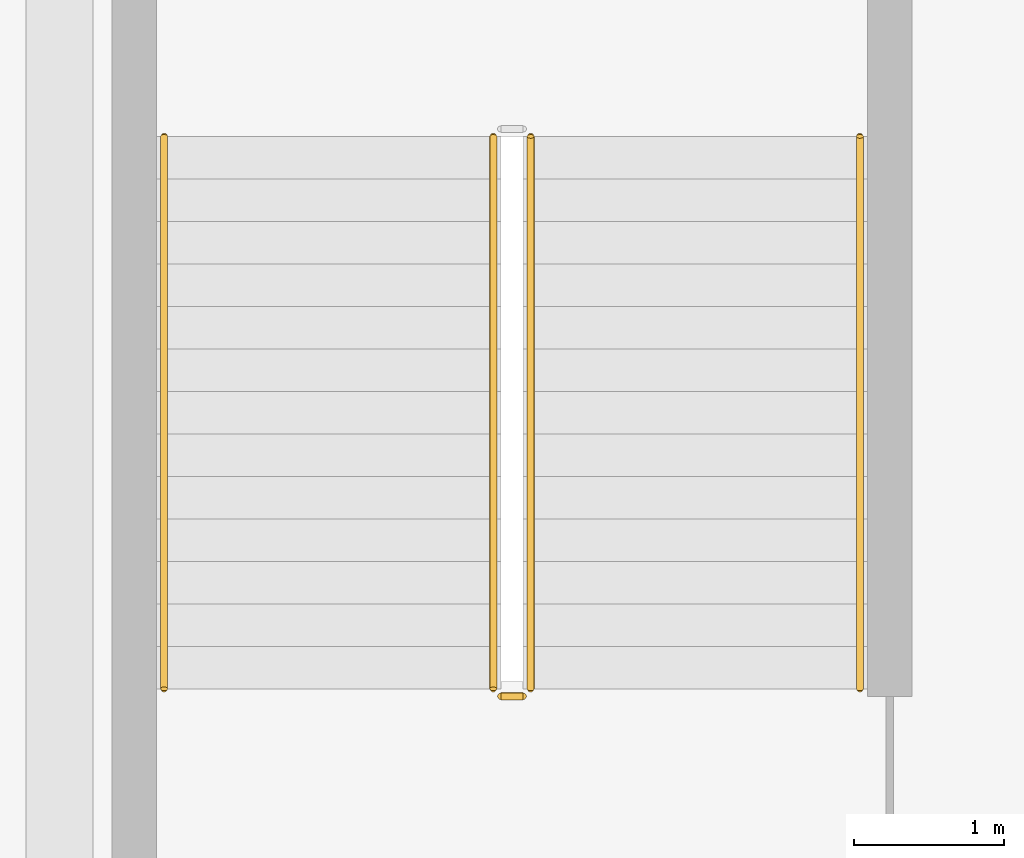
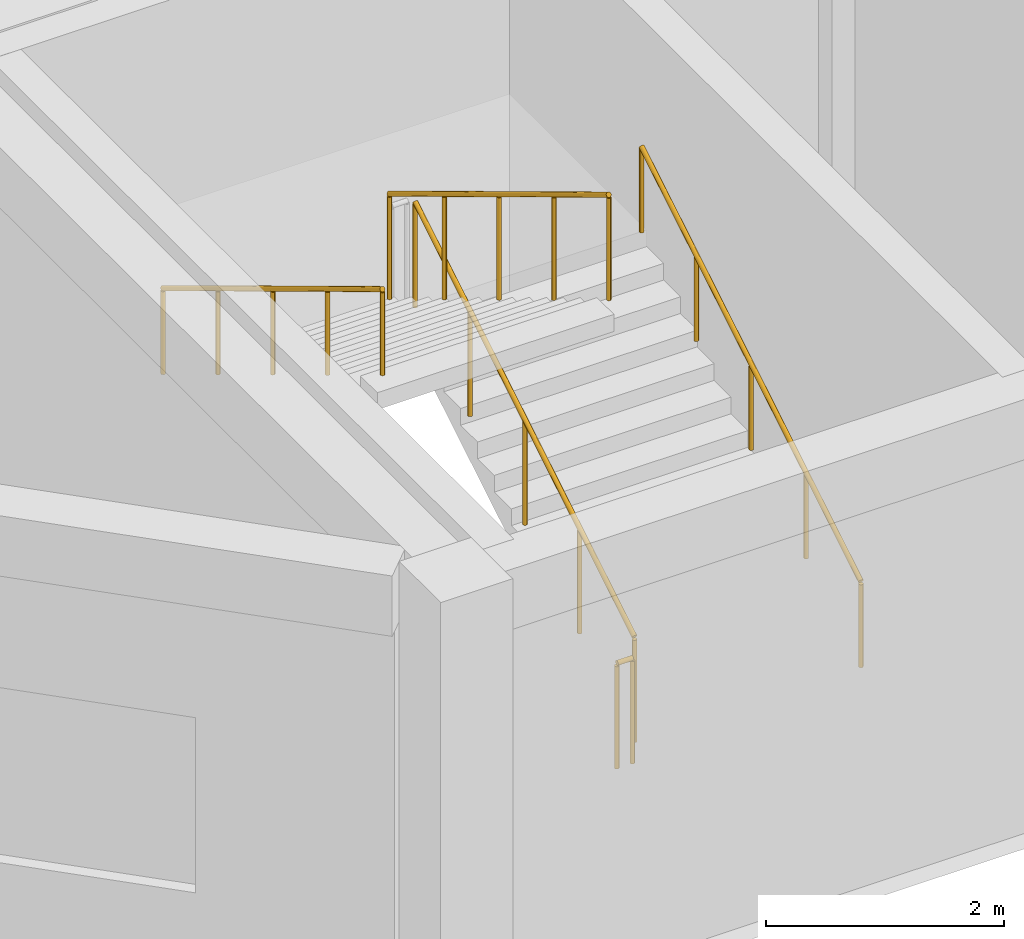
# One storey, part 37 of 42: 5 railings.
"""IFC4 building model written with IfcOpenShell, lengths in metres."""

import ifcopenshell
import ifcopenshell.guid

model = None  # the IFC model being written
_history = None  # IfcOwnerHistory: only IFC2X3 demands one
_inside = {}  # id of a spatial element -> (the spatial element, [elements in it])
_under = {}  # id of a project, library or spatial element -> (it, [spatial elements below it])
_declared = {}  # id of a project -> (the project, [libraries it declares])
_typed = {}  # id of a type object -> (the type object, [elements of that type])
_made_of = {}  # id of a material, layer set ... -> (it, [elements and type objects made of it])


def new_model(schema):
    """Start an empty IFC model of exactly this schema.

    Asked for "IFC4X3", IfcOpenShell would pick the latest addendum, in which some entities
    have other attributes; the version numbers below select the first issue.
    IFC2X3 requires an IfcOwnerHistory on every rooted entity: one is made here for all.
    """
    global model, _history
    if schema == "IFC4X3":
        model = ifcopenshell.file(schema_version=(4, 3, 0, 0))
    else:
        model = ifcopenshell.file(schema=schema)
    _inside.clear()
    _under.clear()
    _declared.clear()
    _typed.clear()
    _made_of.clear()
    _history = None
    if model.schema == "IFC2X3":
        org = make("IfcOrganization", Name="unknown")
        user = make(
            "IfcPersonAndOrganization",
            ThePerson=make("IfcPerson", FamilyName="unknown"),
            TheOrganization=org,
        )
        app = make(
            "IfcApplication",
            ApplicationDeveloper=org,
            Version="unknown",
            ApplicationFullName="unknown",
            ApplicationIdentifier="unknown",
        )
        _history = make(
            "IfcOwnerHistory",
            OwningUser=user,
            OwningApplication=app,
            ChangeAction="ADDED",
            CreationDate=0,
        )
    return model


def make(cls, **values):
    """One entity of the class cls with the attributes given. An attribute that is None is left unset."""
    return model.create_entity(
        cls, **{name: value for name, value in values.items() if value is not None}
    )


def rooted(cls, **values):
    """An entity with a GlobalId (a new one), such as an element, a storey or a relation."""
    return make(cls, GlobalId=ifcopenshell.guid.new(), OwnerHistory=_history, **values)


def si_unit(unit_type, name, prefix=None):
    """IfcSIUnit, for example si_unit("LENGTHUNIT", "METRE", prefix="MILLI")."""
    return make("IfcSIUnit", UnitType=unit_type, Prefix=prefix, Name=name)


def assignment(units):
    """IfcUnitAssignment: the units of a project."""
    return None if units is None else make("IfcUnitAssignment", Units=units)


def point(xyz):
    """IfcCartesianPoint."""
    return None if xyz is None else make("IfcCartesianPoint", Coordinates=xyz)


def direction(xyz):
    """IfcDirection."""
    return None if xyz is None else make("IfcDirection", DirectionRatios=xyz)


def frame(location, z_axis=None, x_axis=None):
    """IfcAxis2Placement3D, a coordinate frame: its origin and axes. An axis left out is left unset."""
    return make(
        "IfcAxis2Placement3D",
        Location=point(location),
        Axis=direction(z_axis),
        RefDirection=direction(x_axis),
    )


def frame_2d(location, x_axis=None):
    """IfcAxis2Placement2D, a coordinate frame in the plane: its origin and x axis."""
    return make(
        "IfcAxis2Placement2D", Location=point(location), RefDirection=direction(x_axis)
    )


def origin():
    """The frame at (0, 0, 0) with its axes left unset."""
    return frame((0.0, 0.0, 0.0))


def origin_2d():
    """The frame at (0, 0) in the plane with its x axis left unset."""
    return frame_2d((0.0, 0.0))


def place(relative_to, where):
    """IfcLocalPlacement: puts the frame where relative to a parent placement (None: the world)."""
    return make(
        "IfcLocalPlacement", PlacementRelTo=relative_to, RelativePlacement=where
    )


def context(
    kind, dimensions, precision=None, world=None, true_north=None, identifier=None
):
    """IfcGeometricRepresentationContext, for example the 3D "Model" context."""
    return make(
        "IfcGeometricRepresentationContext",
        ContextIdentifier=identifier,
        ContextType=kind,
        CoordinateSpaceDimension=dimensions,
        Precision=precision,
        WorldCoordinateSystem=world,
        TrueNorth=true_north,
    )


def subcontext(parent, identifier, kind, view, scale=None):
    """IfcGeometricRepresentationSubContext, for example "Body" below "Model"."""
    return make(
        "IfcGeometricRepresentationSubContext",
        ContextIdentifier=identifier,
        ContextType=kind,
        ParentContext=parent,
        TargetScale=scale,
        TargetView=view,
    )


def project(units=None, contexts=None):
    """IfcProject with its units and contexts."""
    return rooted(
        "IfcProject",
        Name="project",
        RepresentationContexts=contexts,
        UnitsInContext=assignment(units),
    )


def spatial(cls, under=None, at=None, **own):
    """A site, building, storey or space (cls), placed at a placement, below another one or the project."""
    s = rooted(cls, ObjectPlacement=at, **own)
    if under is not None:
        _under.setdefault(under.id(), (under, []))[1].append(s)
    return s


def profile(cls, at=None, kind="AREA", **sizes):
    """A parametric profile (cls). Its sizes go by their IFC names, for example OverallWidth=200.0."""
    return make(cls, ProfileType=kind, Position=at, **sizes)


def circle(**sizes):
    """IfcCircleProfileDef."""
    return profile("IfcCircleProfileDef", **sizes)


def extrude(swept, where, along, depth):
    """IfcExtrudedAreaSolid: the profile swept, set in the frame where, extruded along a direction by depth."""
    return make(
        "IfcExtrudedAreaSolid",
        SweptArea=swept,
        Position=where,
        ExtrudedDirection=direction(along),
        Depth=depth,
    )


def shape(context_of_items, identifier, shape_type, items):
    """IfcShapeRepresentation: the items that make up one representation, for example the "Body"."""
    return make(
        "IfcShapeRepresentation",
        ContextOfItems=context_of_items,
        RepresentationIdentifier=identifier,
        RepresentationType=shape_type,
        Items=items,
    )


def material(Name=None, Category=None):
    """IfcMaterial."""
    return make("IfcMaterial", Name=Name, Category=Category)


def made_of(thing, what):
    """Note that an element or type object is made of a material, layer set ...; save() writes the relation."""
    if what is not None:
        _made_of.setdefault(what.id(), (what, []))[1].append(thing)
    return thing


def type_object(cls, material=None, **own):
    """A type object (cls), such as IfcWallType, which elements share."""
    return made_of(rooted(cls, **own), material)


def element(
    cls,
    number,
    at=None,
    inside=None,
    cuts=None,
    type_object=None,
    material=None,
    context=None,
    identifier="Body",
    shape_type=None,
    held_by="IfcProductDefinitionShape",
    body=None,
    shapes=None,
    **own,
):
    """One element of the class cls, such as IfcWall. Its Tag is "e" and its number.

    at: its placement. inside: the storey or other place that contains it. cuts: it is an
    opening in that element (IfcRelVoidsElement). A single representation is given by context,
    identifier, shape_type and body (its items); several are given by shapes. held_by: the class
    of the entity that holds the representations. save() writes the other relations.
    """
    e = rooted(cls, Tag="e%d" % number, ObjectPlacement=at, **own)
    if body is not None:
        shapes = [shape(context, identifier, shape_type, body)]
    if shapes is not None:
        e.Representation = make(held_by, Representations=shapes)
    if inside is not None:
        _inside.setdefault(inside.id(), (inside, []))[1].append(e)
    if cuts is not None:
        rooted(
            "IfcRelVoidsElement", RelatingBuildingElement=cuts, RelatedOpeningElement=e
        )
    if type_object is not None:
        _typed.setdefault(type_object.id(), (type_object, []))[1].append(e)
    return made_of(e, material)


def aggregate(whole, parts):
    """IfcRelAggregates: a whole, such as a stair, and the parts it consists of."""
    return rooted("IfcRelAggregates", RelatingObject=whole, RelatedObjects=parts)


def save(model, path):
    """Write the relations noted so far, then the file.

    IfcRelAggregates (storeys below a building ...), IfcRelContainedInSpatialStructure (elements
    in a storey), IfcRelDefinesByType, IfcRelAssociatesMaterial and IfcRelDeclares: one each for
    every whole, place, type object, material and project.
    """
    for whole, parts in _under.values():
        aggregate(whole, parts)
    for where, things in _inside.values():
        rooted(
            "IfcRelContainedInSpatialStructure",
            RelatedElements=things,
            RelatingStructure=where,
        )
    for kind, things in _typed.values():
        rooted("IfcRelDefinesByType", RelatedObjects=things, RelatingType=kind)
    for what, things in _made_of.values():
        rooted("IfcRelAssociatesMaterial", RelatedObjects=things, RelatingMaterial=what)
    for by, libraries in _declared.values():
        rooted("IfcRelDeclares", RelatingContext=by, RelatedDefinitions=libraries)
    model.write(path)


model = new_model("IFC4")

# Units and contexts
model_context = context("Model", 3, precision=1e-05, world=origin(), true_north=direction((0.0, 1.0)))
body_context = subcontext(model_context, "Body", "Model", "MODEL_VIEW")
ifc_project = project(units=[si_unit("LENGTHUNIT", "METRE"), si_unit("AREAUNIT", "SQUARE_METRE"), si_unit("VOLUMEUNIT", "CUBIC_METRE"), si_unit("PLANEANGLEUNIT", "RADIAN"), si_unit("MASSUNIT", "GRAM", prefix="KILO")], contexts=[model_context])

# Site, building, storey
site_placement = place(None, origin())
site = spatial("IfcSite", under=ifc_project, at=site_placement, CompositionType="ELEMENT")
building_placement = place(site_placement, origin())
building = spatial("IfcBuilding", under=site, at=building_placement, Name="Dhurran Vertical Campus", CompositionType="ELEMENT")
storey_placement = place(building_placement, frame((0.0, 0.0, 6.0)))
storey = spatial("IfcBuildingStorey", under=building, at=storey_placement, Name="L01", CompositionType="ELEMENT", Elevation=6.0)

# Railings
ifc_material_1 = material(Name="Steel S355J2H", Category="steel")
railing_type_1 = type_object("IfcRailingType", Name="hl-stair guard 1100", PredefinedType="GUARDRAIL", material=ifc_material_1)
railing_1_placement = place(storey_placement, frame((73.64990234375, -24.550048828125, 0.17138671875)))
element("IfcRailing", 1, at=railing_1_placement, inside=storey, type_object=railing_type_1, Name="L01 HST1 stair guard 1", PredefinedType="GUARDRAIL", context=body_context, shape_type="SweptSolid", body=[
    extrude(circle(Radius=0.02392578125, at=origin_2d()), frame((0.0, 0.0, 1.076171875), z_axis=(0.0, 0.85613627591, 0.516750110858), x_axis=(-1.0, 0.0, 0.0)), (0.0, 0.0, 1.0), 4.3125),
    extrude(circle(Radius=0.02099609375, at=origin_2d()), origin(), (0.0, 0.0, 1.0), 1.052001953125),
    extrude(circle(Radius=0.02099609375, at=origin_2d()), frame((0.0, 0.923095703125, 0.55712890625)), (0.0, 0.0, 1.0), 1.052001953125),
    extrude(circle(Radius=0.02099609375, at=origin_2d()), frame((0.0, 1.84619140625, 1.1142578125)), (0.0, 0.0, 1.0), 1.052001953125),
    extrude(circle(Radius=0.02099609375, at=origin_2d()), frame((0.0, 2.76904296875, 1.67138671875)), (0.0, 0.0, 1.0), 1.052001953125),
    extrude(circle(Radius=0.02099609375, at=origin_2d()), frame((0.0, 3.692138671875, 2.228515625)), (0.0, 0.0, 1.0), 1.052001953125),
])
railing_2_placement = place(storey_placement, frame((73.39990234375, -20.85791015625, 2.571533203125)))
element("IfcRailing", 2, at=railing_2_placement, inside=storey, type_object=railing_type_1, Name="L01 HST1 stair guard 3", PredefinedType="GUARDRAIL", context=body_context, shape_type="SweptSolid", body=[
    extrude(circle(Radius=0.02392578125, at=origin_2d()), frame((0.0, 0.0, 1.076171875), z_axis=(0.0, -0.85613627591, 0.516750110858), x_axis=(1.0, 0.0, 0.0)), (0.0, 0.0, 1.0), 4.3125),
    extrude(circle(Radius=0.02099609375, at=origin_2d()), origin(), (0.0, 0.0, 1.0), 1.052001953125),
    extrude(circle(Radius=0.02099609375, at=origin_2d()), frame((0.0, -0.923095703125, 0.55712890625)), (0.0, 0.0, 1.0), 1.052001953125),
    extrude(circle(Radius=0.02099609375, at=origin_2d()), frame((0.0, -1.84619140625, 1.1142578125)), (0.0, 0.0, 1.0), 1.052001953125),
    extrude(circle(Radius=0.02099609375, at=origin_2d()), frame((0.0, -2.76904296875, 1.67138671875)), (0.0, 0.0, 1.0), 1.052001953125),
    extrude(circle(Radius=0.02099609375, at=origin_2d()), frame((0.0, -3.692138671875, 2.228515625)), (0.0, 0.0, 1.0), 1.052001953125),
])
railing_3_placement = place(storey_placement, frame((73.60009765625, -24.60009765625, 0.0)))
element("IfcRailing", 3, at=railing_3_placement, inside=storey, type_object=railing_type_1, Name="L01 HST1 stair guard 4", PredefinedType="GUARDRAIL", context=body_context, shape_type="SweptSolid", body=[
    extrude(circle(Radius=0.02392578125, at=origin_2d()), frame((0.0, 0.0, 1.076171875), z_axis=(-1.0, 0.0, 0.0), x_axis=(0.0, -1.0, 0.0)), (0.0, 0.0, 1.0), 0.150146484375),
    extrude(circle(Radius=0.02099609375, at=origin_2d()), origin(), (0.0, 0.0, 1.0), 1.052001953125),
    extrude(circle(Radius=0.02099609375, at=origin_2d()), frame((-0.150146484375, 0.0, 0.0)), (0.0, 0.0, 1.0), 1.052001953125),
])
ifc_material_2 = material(Name="Steel S355J2H", Category="steel")
railing_type_2 = type_object("IfcRailingType", Name="hl-stair handrail", PredefinedType="HANDRAIL", material=ifc_material_2)
railing_4_placement = place(storey_placement, frame((75.85009765625, -24.550048828125, 0.17138671875)))
element("IfcRailing", 4, at=railing_4_placement, inside=storey, type_object=railing_type_2, Name="L01 HST1 stair handrail 1", PredefinedType="HANDRAIL", context=body_context, shape_type="SweptSolid", body=[
    extrude(circle(Radius=0.02392578125, at=origin_2d()), frame((0.0, 0.0, 0.8759765625), z_axis=(0.0, 0.85613627591, 0.516750110858), x_axis=(-1.0, 0.0, 0.0)), (0.0, 0.0, 1.0), 4.3125),
    extrude(circle(Radius=0.02099609375, at=origin_2d()), origin(), (0.0, 0.0, 1.0), 0.851806640625),
    extrude(circle(Radius=0.02099609375, at=origin_2d()), frame((0.0, 0.923095703125, 0.55712890625)), (0.0, 0.0, 1.0), 0.851806640625),
    extrude(circle(Radius=0.02099609375, at=origin_2d()), frame((0.0, 1.84619140625, 1.1142578125)), (0.0, 0.0, 1.0), 0.851806640625),
    extrude(circle(Radius=0.02099609375, at=origin_2d()), frame((0.0, 2.76904296875, 1.67138671875)), (0.0, 0.0, 1.0), 0.851806640625),
    extrude(circle(Radius=0.02099609375, at=origin_2d()), frame((0.0, 3.692138671875, 2.228515625)), (0.0, 0.0, 1.0), 0.851806640625),
])
railing_5_placement = place(storey_placement, frame((71.199951171875, -20.85791015625, 2.571533203125)))
element("IfcRailing", 5, at=railing_5_placement, inside=storey, type_object=railing_type_2, Name="L01 HST1 stair handrail 2", PredefinedType="HANDRAIL", context=body_context, shape_type="SweptSolid", body=[
    extrude(circle(Radius=0.02392578125, at=origin_2d()), frame((0.0, 0.0, 0.8759765625), z_axis=(0.0, -0.85613627591, 0.516750110858), x_axis=(1.0, 0.0, 0.0)), (0.0, 0.0, 1.0), 4.3125),
    extrude(circle(Radius=0.02099609375, at=origin_2d()), origin(), (0.0, 0.0, 1.0), 0.851806640625),
    extrude(circle(Radius=0.02099609375, at=origin_2d()), frame((0.0, -0.923095703125, 0.55712890625)), (0.0, 0.0, 1.0), 0.851806640625),
    extrude(circle(Radius=0.02099609375, at=origin_2d()), frame((0.0, -1.84619140625, 1.1142578125)), (0.0, 0.0, 1.0), 0.851806640625),
    extrude(circle(Radius=0.02099609375, at=origin_2d()), frame((0.0, -2.76904296875, 1.67138671875)), (0.0, 0.0, 1.0), 0.851806640625),
    extrude(circle(Radius=0.02099609375, at=origin_2d()), frame((0.0, -3.692138671875, 2.228515625)), (0.0, 0.0, 1.0), 0.851806640625),
])

save(model, "model.ifc")
